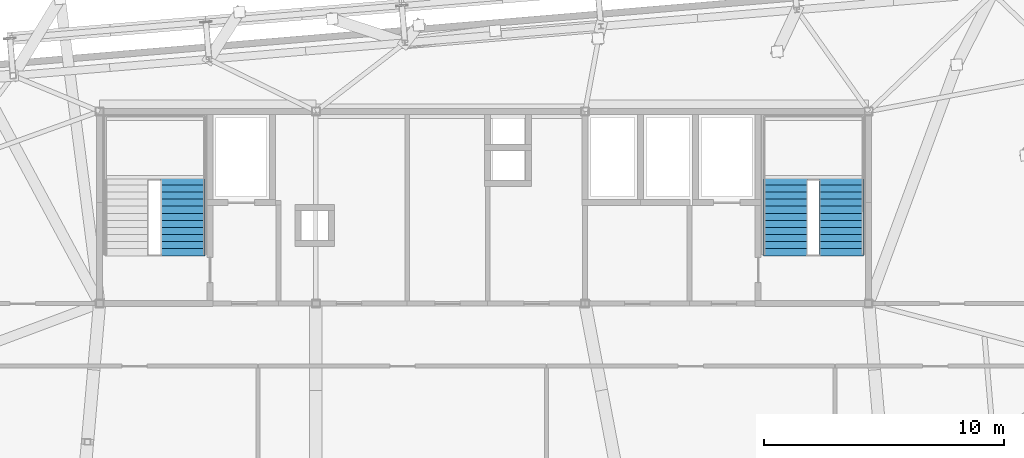
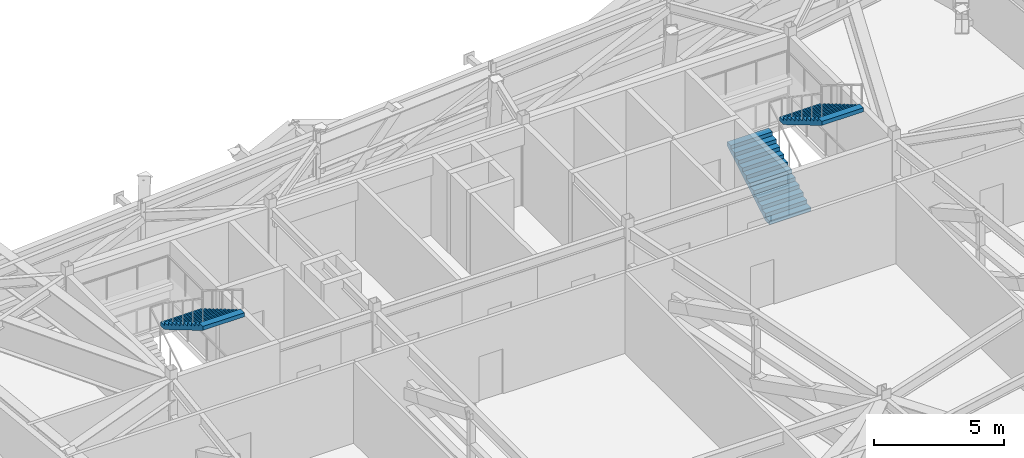
# One storey, part 25 of 26: 3 stair flights, 2 elements without a shape of their own.
"""IFC4 building model written with IfcOpenShell, lengths in metres."""

from ifc_helpers import new_model, si_unit, direction, frame, origin, place, context, subcontext, project, spatial, polyline, outline, extrude, material, type_object, element, aggregate, save


model = new_model("IFC4")

# Units and contexts
model_context = context("Model", 3, precision=1e-05, world=origin(), true_north=direction((0.0, 1.0)))
body_context = subcontext(model_context, "Body", "Model", "MODEL_VIEW")
ifc_project = project(units=[si_unit("LENGTHUNIT", "METRE"), si_unit("AREAUNIT", "SQUARE_METRE"), si_unit("VOLUMEUNIT", "CUBIC_METRE"), si_unit("PLANEANGLEUNIT", "RADIAN"), si_unit("MASSUNIT", "GRAM", prefix="KILO")], contexts=[model_context])

# Site, building, storey
site_placement = place(None, origin())
site = spatial("IfcSite", under=ifc_project, at=site_placement, CompositionType="ELEMENT")
building_placement = place(site_placement, origin())
building = spatial("IfcBuilding", under=site, at=building_placement, Name="Taldren Reach Tower", CompositionType="ELEMENT")
storey_placement = place(building_placement, frame((0.0, 0.0, 207.199951171875)))
storey = spatial("IfcBuildingStorey", under=building, at=storey_placement, Name="L63", CompositionType="ELEMENT", Elevation=207.199951171875)

# Stair, stair flight
ifc_material = material(Name="Concrete S50 (50 MPa)", Category="concrete")
stair_type = type_object("IfcStairType", Name="ST-HT-420", PredefinedType="HALF_TURN_STAIR", material=ifc_material)
stair_1_placement = place(storey_placement, origin())
stair_1 = element("IfcStair", 1, at=stair_1_placement, inside=storey, type_object=stair_type, Name="Fire-isolated exit stair ST1 L63", PredefinedType="HALF_TURN_STAIR")
stair_flight_type = type_object("IfcStairFlightType", Name="SF-STR-420", PredefinedType="STRAIGHT", material=ifc_material)
stair_flight_1_placement = place(storey_placement, frame((22.4599609375, 29.235107421875, 2.10009765625), z_axis=(0.0, 0.0, 1.0), x_axis=(0.0, -1.0, 0.0)))
stair_flight_1 = element("IfcStairFlight", 2, at=stair_flight_1_placement, type_object=stair_flight_type, Name="ST1 flight 2", NumberOfRisers=12, NumberOfTreads=11, PredefinedType="STRAIGHT", RiserHeight=0.175, TreadLength=0.295, context=body_context, shape_type="SweptSolid", body=[
    extrude(outline(polyline([(0.0, 0.0), (0.0, 0.175048828125), (0.294921875, 0.175048828125), (0.294921875, 0.35009765625), (0.590087890625, 0.35009765625), (0.590087890625, 0.52490234375), (0.885009765625, 0.52490234375), (0.885009765625, 0.699951171875), (1.179931640625, 0.699951171875), (1.179931640625, 0.875), (1.47509765625, 0.875), (1.47509765625, 1.050048828125), (1.77001953125, 1.050048828125), (1.77001953125, 1.22509765625), (2.06494140625, 1.22509765625), (2.06494140625, 1.39990234375), (2.360107421875, 1.39990234375), (2.360107421875, 1.574951171875), (2.655029296875, 1.574951171875), (2.655029296875, 1.75), (2.949951171875, 1.75), (2.949951171875, 1.925048828125), (3.2451171875, 1.925048828125), (3.2451171875, 2.10009765625), (3.2451171875, 1.739013671875), (0.3134765625, 0.0), (0.0, 0.0)])), frame((0.0, 0.919921875, 0.0), z_axis=(0.0, -1.0, 0.0), x_axis=(1.0, 0.0, 0.0)), (0.0, 0.0, 1.0), 1.840087890625),
])
aggregate(stair_1, [stair_flight_1])

# Stair, stair flights
stair_2_placement = place(storey_placement, origin())
stair_2 = element("IfcStair", 3, at=stair_2_placement, inside=storey, type_object=stair_type, Name="Fire-isolated exit stair ST2 L63", PredefinedType="HALF_TURN_STAIR")
stair_flight_2_placement = place(storey_placement, frame((47.5400390625, 25.989990234375, 0.0), z_axis=(0.0, 0.0, 1.0), x_axis=(0.0, 1.0, 0.0)))
stair_flight_2 = element("IfcStairFlight", 4, at=stair_flight_2_placement, type_object=stair_flight_type, Name="ST2 flight 1", NumberOfRisers=12, NumberOfTreads=11, PredefinedType="STRAIGHT", RiserHeight=0.175, TreadLength=0.295, context=body_context, shape_type="SweptSolid", body=[
    extrude(outline(polyline([(0.0, 0.0), (0.0, 0.175048828125), (0.294921875, 0.175048828125), (0.294921875, 0.35009765625), (0.590087890625, 0.35009765625), (0.590087890625, 0.52490234375), (0.885009765625, 0.52490234375), (0.885009765625, 0.699951171875), (1.179931640625, 0.699951171875), (1.179931640625, 0.875), (1.47509765625, 0.875), (1.47509765625, 1.050048828125), (1.77001953125, 1.050048828125), (1.77001953125, 1.22509765625), (2.06494140625, 1.22509765625), (2.06494140625, 1.39990234375), (2.360107421875, 1.39990234375), (2.360107421875, 1.574951171875), (2.655029296875, 1.574951171875), (2.655029296875, 1.75), (2.949951171875, 1.75), (2.949951171875, 1.925048828125), (3.2451171875, 1.925048828125), (3.2451171875, 2.10009765625), (3.2451171875, 1.739013671875), (0.3134765625, 0.0), (0.0, 0.0)])), frame((0.0, 0.919921875, 0.0), z_axis=(0.0, -1.0, 0.0), x_axis=(1.0, 0.0, 0.0)), (0.0, 0.0, 1.0), 1.840087890625),
])
stair_flight_3_placement = place(storey_placement, frame((49.860107421875, 29.235107421875, 2.10009765625), z_axis=(0.0, 0.0, 1.0), x_axis=(0.0, -1.0, 0.0)))
stair_flight_3 = element("IfcStairFlight", 5, at=stair_flight_3_placement, type_object=stair_flight_type, Name="ST2 flight 2", NumberOfRisers=12, NumberOfTreads=11, PredefinedType="STRAIGHT", RiserHeight=0.175, TreadLength=0.295, context=body_context, shape_type="SweptSolid", body=[
    extrude(outline(polyline([(0.0, 0.0), (0.0, 0.175048828125), (0.294921875, 0.175048828125), (0.294921875, 0.35009765625), (0.590087890625, 0.35009765625), (0.590087890625, 0.52490234375), (0.885009765625, 0.52490234375), (0.885009765625, 0.699951171875), (1.179931640625, 0.699951171875), (1.179931640625, 0.875), (1.47509765625, 0.875), (1.47509765625, 1.050048828125), (1.77001953125, 1.050048828125), (1.77001953125, 1.22509765625), (2.06494140625, 1.22509765625), (2.06494140625, 1.39990234375), (2.360107421875, 1.39990234375), (2.360107421875, 1.574951171875), (2.655029296875, 1.574951171875), (2.655029296875, 1.75), (2.949951171875, 1.75), (2.949951171875, 1.925048828125), (3.2451171875, 1.925048828125), (3.2451171875, 2.10009765625), (3.2451171875, 1.739013671875), (0.3134765625, 0.0), (0.0, 0.0)])), frame((0.0, 0.919921875, 0.0), z_axis=(0.0, -1.0, 0.0), x_axis=(1.0, 0.0, 0.0)), (0.0, 0.0, 1.0), 1.840087890625),
])
aggregate(stair_2, [stair_flight_2, stair_flight_3])

save(model, "model.ifc")
